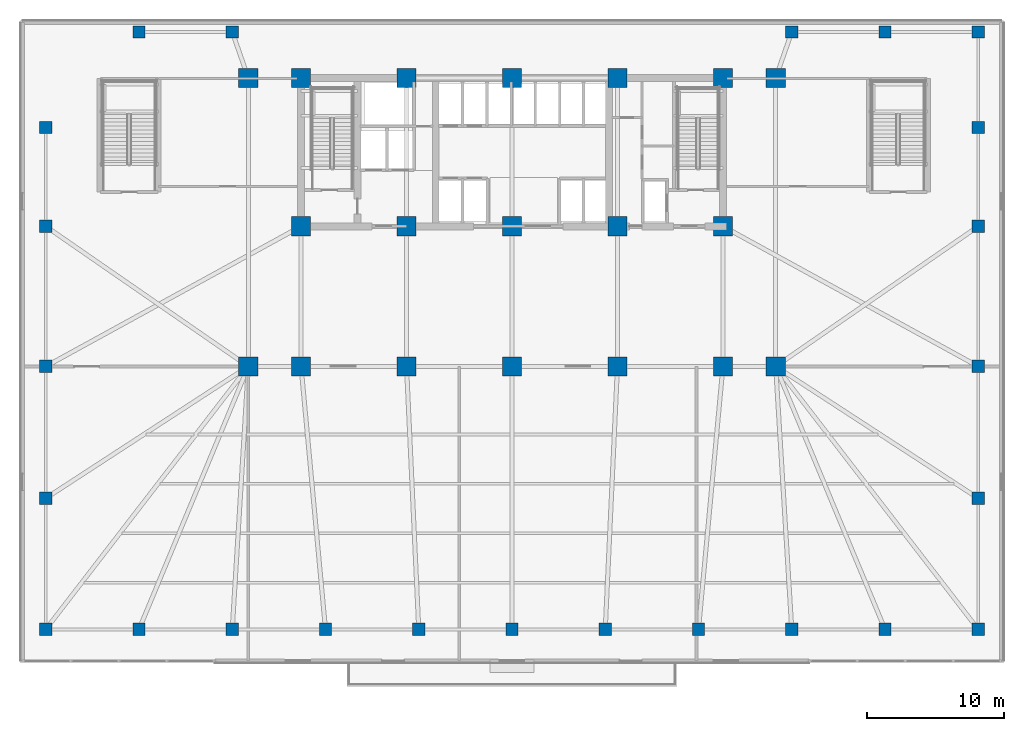
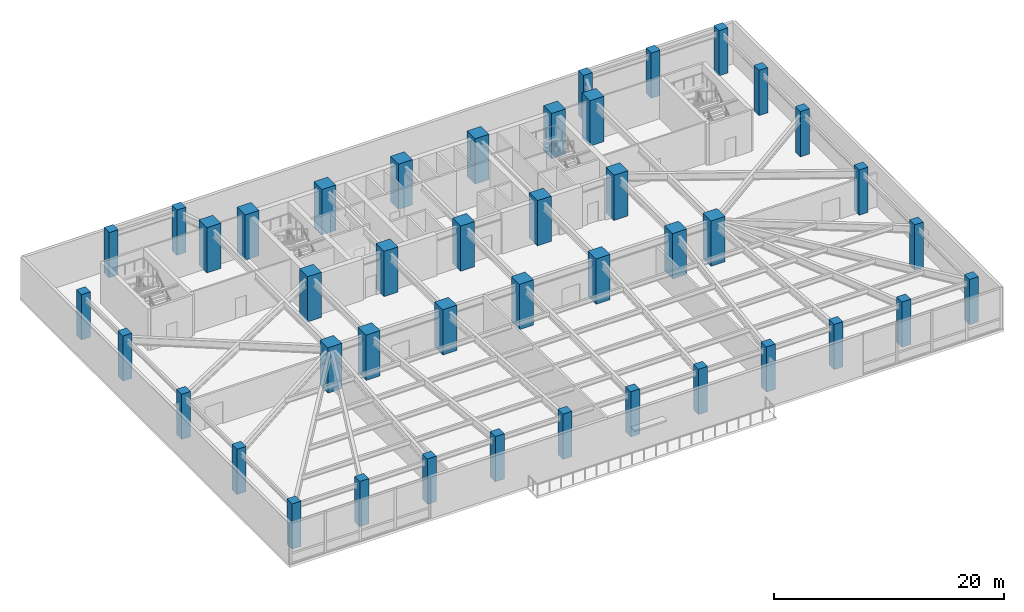
# One storey, part 1 of 15: 43 columns.
"""IFC4 building model written with IfcOpenShell, lengths in metres."""

from ifc_helpers import new_model, si_unit, direction, frame, origin, origin_2d, place, context, subcontext, project, spatial, rectangle, extrude, material, material_profile, profile_set, type_object, element, save


model = new_model("IFC4")

# Units and contexts
model_context = context("Model", 3, precision=1e-05, world=origin(), true_north=direction((0.0, 1.0)))
body_context = subcontext(model_context, "Body", "Model", "MODEL_VIEW")
ifc_project = project(units=[si_unit("LENGTHUNIT", "METRE"), si_unit("AREAUNIT", "SQUARE_METRE"), si_unit("VOLUMEUNIT", "CUBIC_METRE"), si_unit("PLANEANGLEUNIT", "RADIAN"), si_unit("MASSUNIT", "GRAM", prefix="KILO")], contexts=[model_context])

# Site, building, storey
site_placement = place(None, origin())
site = spatial("IfcSite", under=ifc_project, at=site_placement, CompositionType="ELEMENT")
building_placement = place(site_placement, origin())
building = spatial("IfcBuilding", under=site, at=building_placement, Name="Yelkora Congress Tower", CompositionType="ELEMENT")
storey_placement = place(building_placement, frame((0.0, 0.0, 20.39990234375)))
storey = spatial("IfcBuildingStorey", under=building, at=storey_placement, Name="L04", CompositionType="ELEMENT", Elevation=20.39990234375)

# Columns
ifc_material_1 = material(Name="Concrete C60/75", Category="concrete")
ifc_material_profile_1 = material_profile(ifc_material_1, rectangle(XDim=1.39990234375, YDim=1.39990234375, at=origin_2d()), Name="RC 1400x1400")
ifc_profile_set_1 = profile_set([ifc_material_profile_1], Name="Concrete C60/75")
column_type_1 = type_object("IfcColumnType", Name="COL-RC-1400", PredefinedType="COLUMN", material=ifc_profile_set_1)
for number, where, z_axis, x_axis, name in (
    (1, (23.0400390625, 35.39990234375, 0.0), (0.0, 0.0, 1.0), (1.0, 0.0, 0.0), "L04 Mega Column MC-S1"),
    (2, (23.0400390625, 46.199951171875, 0.0), (0.0, 0.0, 1.0), (1.0, 0.0, 0.0), "L04 Mega Column MC-N1"),
    (3, (23.0400390625, 25.199951171875, 0.0), (0.0, 0.0, 1.0), (1.0, 0.0, 0.0), "L04 Mega Column MC-D1"),
    (4, (30.719970703125, 35.39990234375, 0.0), (0.0, 0.0, 1.0), (1.0, 0.0, 0.0), "L04 Mega Column MC-S2"),
    (5, (30.719970703125, 46.199951171875, 0.0), (0.0, 0.0, 1.0), (1.0, 0.0, 0.0), "L04 Mega Column MC-N2"),
    (6, (30.719970703125, 25.199951171875, 0.0), (0.0, 0.0, 1.0), (1.0, 0.0, 0.0), "L04 Mega Column MC-D2"),
    (7, (38.39990234375, 35.39990234375, 0.0), (0.0, 0.0, 1.0), (1.0, 0.0, 0.0), "L04 Mega Column MC-S3"),
    (8, (38.39990234375, 46.199951171875, 0.0), (0.0, 0.0, 1.0), (1.0, 0.0, 0.0), "L04 Mega Column MC-N3"),
    (9, (38.39990234375, 25.199951171875, 0.0), (0.0, 0.0, 1.0), (1.0, 0.0, 0.0), "L04 Mega Column MC-D3"),
    (10, (46.080078125, 35.39990234375, 0.0), (0.0, 0.0, 1.0), (1.0, 0.0, 0.0), "L04 Mega Column MC-S4"),
    (11, (46.080078125, 46.199951171875, 0.0), (0.0, 0.0, 1.0), (1.0, 0.0, 0.0), "L04 Mega Column MC-N4"),
    (12, (46.080078125, 25.199951171875, 0.0), (0.0, 0.0, 1.0), (1.0, 0.0, 0.0), "L04 Mega Column MC-D4"),
    (13, (53.760009765625, 35.39990234375, 0.0), (0.0, 0.0, 1.0), (1.0, 0.0, 0.0), "L04 Mega Column MC-S5"),
    (14, (53.760009765625, 46.199951171875, 0.0), (0.0, 0.0, 1.0), (1.0, 0.0, 0.0), "L04 Mega Column MC-N5"),
    (15, (53.760009765625, 25.199951171875, 0.0), (0.0, 0.0, 1.0), (1.0, 0.0, 0.0), "L04 Mega Column MC-D5"),
    (16, (19.199951171875, 25.199951171875, 0.0), (0.0, 0.0, 1.0), (1.0, 0.0, 0.0), "L04 Mega Column MC-F1"),
    (17, (57.60009765625, 25.199951171875, 0.0), (0.0, 0.0, 1.0), (1.0, 0.0, 0.0), "L04 Mega Column MC-F2"),
    (18, (19.199951171875, 46.199951171875, 0.0), (0.0, 0.0, 1.0), (1.0, 0.0, 0.0), "L04 Mega Column MC-F3"),
    (19, (57.60009765625, 46.199951171875, 0.0), (0.0, 0.0, 1.0), (1.0, 0.0, 0.0), "L04 Mega Column MC-F4"),
):
    element("IfcColumn", number, at=place(storey_placement, frame(where, z_axis=z_axis, x_axis=x_axis)), inside=storey, type_object=column_type_1, Name=name, PredefinedType="COLUMN", context=body_context, shape_type="SweptSolid", body=[
        extrude(rectangle(XDim=1.39990234375, YDim=1.39990234375, at=origin_2d()), origin(), (0.0, 0.0, 1.0), 4.800048828125),
    ])
ifc_material_2 = material(Name="Concrete C50/60", Category="concrete")
ifc_material_profile_2 = material_profile(ifc_material_2, rectangle(XDim=0.89990234375, YDim=0.89990234375, at=origin_2d()), Name="RC 900x900")
ifc_profile_set_2 = profile_set([ifc_material_profile_2], Name="Concrete C50/60")
column_type_2 = type_object("IfcColumnType", Name="COL-RC-900", PredefinedType="COLUMN", material=ifc_profile_set_2)
for number, where, z_axis, x_axis, name in (
    (20, (4.449951171875, 6.050048828125, 0.0), (0.0, 0.0, 1.0), (1.0, 0.0, 0.0), "L04 Podium Column PS01"),
    (21, (11.239990234375, 6.050048828125, 0.0), (0.0, 0.0, 1.0), (1.0, 0.0, 0.0), "L04 Podium Column PS02"),
    (22, (11.239990234375, 49.550048828125, 0.0), (0.0, 0.0, 1.0), (1.0, 0.0, 0.0), "L04 Podium North Column PN02"),
    (23, (18.030029296875, 6.050048828125, 0.0), (0.0, 0.0, 1.0), (1.0, 0.0, 0.0), "L04 Podium Column PS03"),
    (24, (18.030029296875, 49.550048828125, 0.0), (0.0, 0.0, 1.0), (1.0, 0.0, 0.0), "L04 Podium North Column PN03"),
    (25, (24.820068359375, 6.050048828125, 0.0), (0.0, 0.0, 1.0), (1.0, 0.0, 0.0), "L04 Podium Column PS04"),
    (26, (31.610107421875, 6.050048828125, 0.0), (0.0, 0.0, 1.0), (1.0, 0.0, 0.0), "L04 Podium Column PS05"),
    (27, (38.39990234375, 6.050048828125, 0.0), (0.0, 0.0, 1.0), (1.0, 0.0, 0.0), "L04 Podium Column PS06"),
    (28, (45.18994140625, 6.050048828125, 0.0), (0.0, 0.0, 1.0), (1.0, 0.0, 0.0), "L04 Podium Column PS07"),
    (29, (51.97998046875, 6.050048828125, 0.0), (0.0, 0.0, 1.0), (1.0, 0.0, 0.0), "L04 Podium Column PS08"),
    (30, (58.77001953125, 6.050048828125, 0.0), (0.0, 0.0, 1.0), (1.0, 0.0, 0.0), "L04 Podium Column PS09"),
    (31, (58.77001953125, 49.550048828125, 0.0), (0.0, 0.0, 1.0), (1.0, 0.0, 0.0), "L04 Podium North Column PN09"),
    (32, (65.56005859375, 6.050048828125, 0.0), (0.0, 0.0, 1.0), (1.0, 0.0, 0.0), "L04 Podium Column PS10"),
    (33, (65.56005859375, 49.550048828125, 0.0), (0.0, 0.0, 1.0), (1.0, 0.0, 0.0), "L04 Podium North Column PN10"),
    (34, (72.35009765625, 6.050048828125, 0.0), (0.0, 0.0, 1.0), (1.0, 0.0, 0.0), "L04 Podium Column PS11"),
    (35, (72.35009765625, 49.550048828125, 0.0), (0.0, 0.0, 1.0), (1.0, 0.0, 0.0), "L04 Podium North Column PN11"),
    (36, (4.449951171875, 15.60009765625, 0.0), (0.0, 0.0, 1.0), (1.0, 0.0, 0.0), "L04 Podium Flank Column PW1"),
    (37, (72.35009765625, 15.60009765625, 0.0), (0.0, 0.0, 1.0), (1.0, 0.0, 0.0), "L04 Podium Flank Column PE1"),
    (38, (4.449951171875, 25.199951171875, 0.0), (0.0, 0.0, 1.0), (1.0, 0.0, 0.0), "L04 Podium Flank Column PW2"),
    (39, (72.35009765625, 25.199951171875, 0.0), (0.0, 0.0, 1.0), (1.0, 0.0, 0.0), "L04 Podium Flank Column PE2"),
    (40, (4.449951171875, 35.39990234375, 0.0), (0.0, 0.0, 1.0), (1.0, 0.0, 0.0), "L04 Podium Flank Column PW3"),
    (41, (72.35009765625, 35.39990234375, 0.0), (0.0, 0.0, 1.0), (1.0, 0.0, 0.0), "L04 Podium Flank Column PE3"),
    (42, (4.449951171875, 42.60009765625, 0.0), (0.0, 0.0, 1.0), (1.0, 0.0, 0.0), "L04 Podium Flank Column PW4"),
    (43, (72.35009765625, 42.60009765625, 0.0), (0.0, 0.0, 1.0), (1.0, 0.0, 0.0), "L04 Podium Flank Column PE4"),
):
    element("IfcColumn", number, at=place(storey_placement, frame(where, z_axis=z_axis, x_axis=x_axis)), inside=storey, type_object=column_type_2, Name=name, PredefinedType="COLUMN", context=body_context, shape_type="SweptSolid", body=[
        extrude(rectangle(XDim=0.89990234375, YDim=0.89990234375, at=origin_2d()), origin(), (0.0, 0.0, 1.0), 4.800048828125),
    ])

save(model, "model.ifc")
